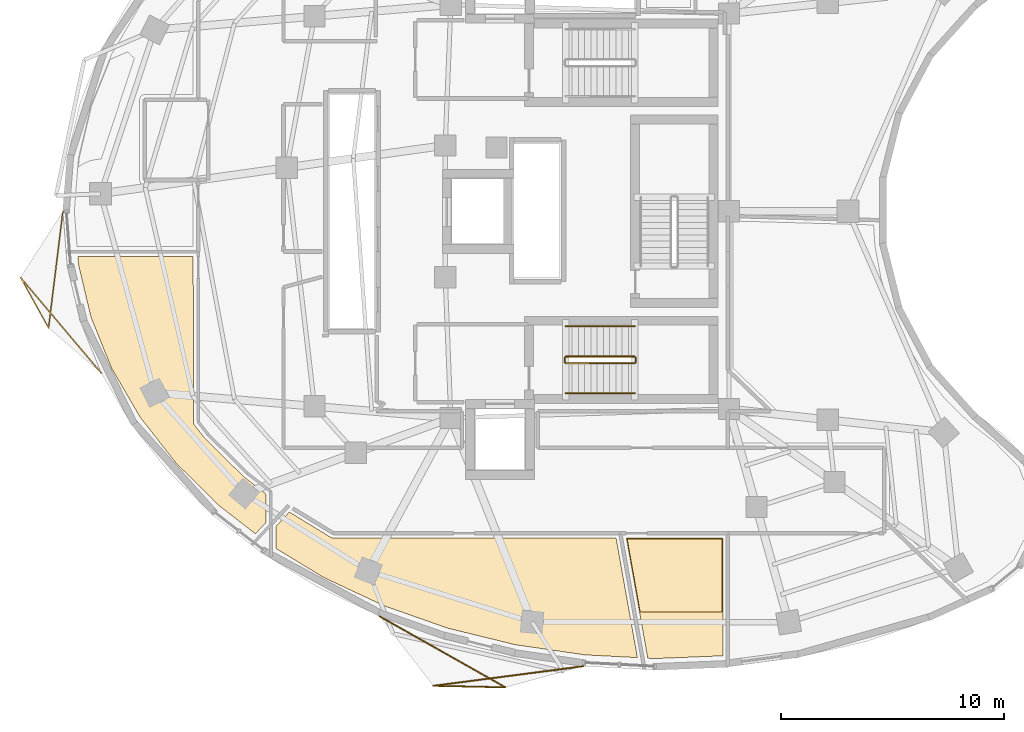
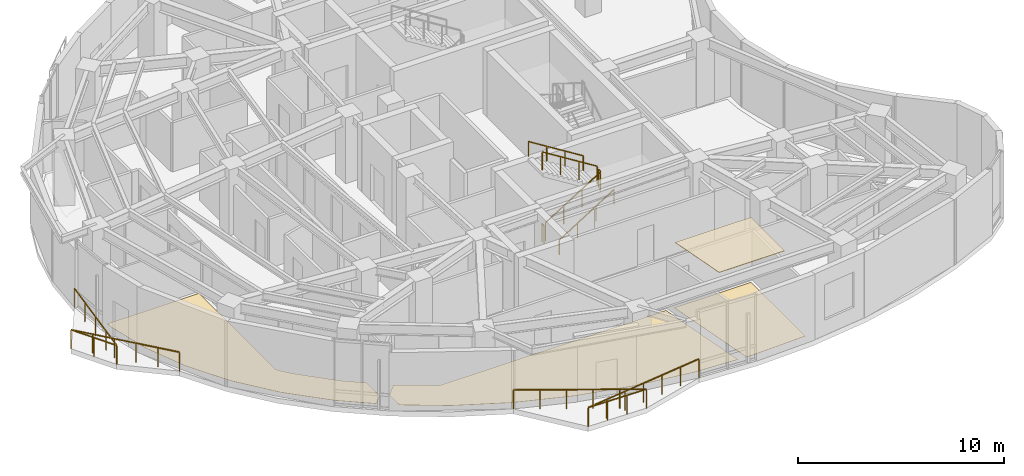
# One storey, part 11 of 13: 8 railings, 4 coverings.
"""IFC4 building model written with IfcOpenShell, lengths in metres."""

from ifc_helpers import new_model, si_unit, direction, frame, origin, origin_2d, place, context, subcontext, project, spatial, polyline, rectangle, outline, extrude, material, layer, layer_set, type_object, element, save


model = new_model("IFC4")

# Units and contexts
model_context = context("Model", 3, precision=1e-05, world=origin(), true_north=direction((0.0, 1.0)))
body_context = subcontext(model_context, "Body", "Model", "MODEL_VIEW")
ifc_project = project(units=[si_unit("LENGTHUNIT", "METRE"), si_unit("AREAUNIT", "SQUARE_METRE"), si_unit("VOLUMEUNIT", "CUBIC_METRE"), si_unit("PLANEANGLEUNIT", "RADIAN"), si_unit("MASSUNIT", "GRAM", prefix="KILO")], contexts=[model_context])

# Site, building, storey
site_placement = place(None, origin())
site = spatial("IfcSite", under=ifc_project, at=site_placement, CompositionType="ELEMENT")
building_placement = place(site_placement, origin())
building = spatial("IfcBuilding", under=site, at=building_placement, Name="Korentha Bioscience Tower", CompositionType="ELEMENT")
storey_placement = place(building_placement, frame((0.0, 0.0, 158.39990234375)))
storey = spatial("IfcBuildingStorey", under=building, at=storey_placement, Name="L36", CompositionType="ELEMENT", Elevation=158.39990234375)

# Railings
ifc_material_1 = material(Name="Stainless Steel 304", Category="steel")
railing_type_1 = type_object("IfcRailingType", Name="Brushed Stainless Stair Handrail 900", PredefinedType="HANDRAIL", material=ifc_material_1)
railing_1_placement = place(storey_placement, frame((30.25, 18.85009765625, 0.175048828125)))
element("IfcRailing", 1, at=railing_1_placement, inside=storey, type_object=railing_type_1, Name="L36 ST-2 stair handrail 1", PredefinedType="HANDRAIL", context=body_context, shape_type="SweptSolid", body=[
    extrude(rectangle(XDim=0.048095703125, YDim=0.048095703125, at=origin_2d()), frame((0.0, 0.0, 0.8759765625), z_axis=(0.847998304005, 0.0, 0.529998940003), x_axis=(0.0, 1.0, 0.0)), (0.0, 0.0, 1.0), 3.632080078125),
    extrude(rectangle(XDim=0.0419921875, YDim=0.0419921875, at=origin_2d()), origin(), (0.0, 0.0, 1.0), 0.851806640625),
    extrude(rectangle(XDim=0.0419921875, YDim=0.0419921875, at=origin_2d()), frame((1.026611328125, 0.0, 0.6416015625)), (0.0, 0.0, 1.0), 0.851806640625),
    extrude(rectangle(XDim=0.0419921875, YDim=0.0419921875, at=origin_2d()), frame((2.053466796875, 0.0, 1.283447265625)), (0.0, 0.0, 1.0), 0.851806640625),
    extrude(rectangle(XDim=0.0419921875, YDim=0.0419921875, at=origin_2d()), frame((3.080078125, 0.0, 1.925048828125)), (0.0, 0.0, 1.0), 0.851806640625),
])
railing_2_placement = place(storey_placement, frame((33.330078125, 21.85009765625, 2.275146484375)))
element("IfcRailing", 2, at=railing_2_placement, inside=storey, type_object=railing_type_1, Name="L36 ST-2 stair handrail 2", PredefinedType="HANDRAIL", context=body_context, shape_type="SweptSolid", body=[
    extrude(rectangle(XDim=0.048095703125, YDim=0.048095703125, at=origin_2d()), frame((0.0, 0.0, 0.8759765625), z_axis=(-0.847998304005, 0.0, 0.529998940003), x_axis=(0.0, -1.0, 0.0)), (0.0, 0.0, 1.0), 3.632080078125),
    extrude(rectangle(XDim=0.0419921875, YDim=0.0419921875, at=origin_2d()), origin(), (0.0, 0.0, 1.0), 0.851806640625),
    extrude(rectangle(XDim=0.0419921875, YDim=0.0419921875, at=origin_2d()), frame((-1.026611328125, 0.0, 0.6416015625)), (0.0, 0.0, 1.0), 0.851806640625),
    extrude(rectangle(XDim=0.0419921875, YDim=0.0419921875, at=origin_2d()), frame((-2.053466796875, 0.0, 1.283447265625)), (0.0, 0.0, 1.0), 0.851806640625),
    extrude(rectangle(XDim=0.0419921875, YDim=0.0419921875, at=origin_2d()), frame((-3.080078125, 0.0, 1.925048828125)), (0.0, 0.0, 1.0), 0.851806640625),
])
ifc_material_2 = material(Name="Laminated Tempered Safety Glass", Category="glass")
railing_type_2 = type_object("IfcRailingType", Name="Laminated Glass Balcony Guardrail 1150", PredefinedType="BALUSTRADE", material=ifc_material_2)
railing_3_placement = place(storey_placement, frame((7.736083984375, 27.0, 0.0)))
element("IfcRailing", 3, at=railing_3_placement, inside=storey, type_object=railing_type_2, Name="L36 Balcony Guardrail 02", PredefinedType="BALUSTRADE", context=body_context, shape_type="SweptSolid", body=[
    extrude(rectangle(XDim=0.048095703125, YDim=0.048095703125, at=origin_2d()), frame((0.0, 0.0, 1.1259765625), z_axis=(-0.122025166092, -0.992527006605, 0.0), x_axis=(0.992527006605, -0.122025166092, 0.0)), (0.0, 0.0, 1.0), 5.263916015625),
    extrude(rectangle(XDim=0.048095703125, YDim=0.048095703125, at=origin_2d()), frame((-0.642333984375, -5.224609375, 1.1259765625), z_axis=(-0.485098789135, 0.874459355705, 0.0), x_axis=(-0.874459355705, -0.485098789135, 0.0)), (0.0, 0.0, 1.0), 2.5908203125),
    extrude(rectangle(XDim=0.048095703125, YDim=0.048095703125, at=origin_2d()), frame((-1.899169921875, -2.958984375, 1.1259765625), z_axis=(0.644919398028, -0.76425059375, 0.0), x_axis=(0.76425059375, 0.644919398028, 0.0)), (0.0, 0.0, 1.0), 5.60986328125),
    extrude(rectangle(XDim=0.0419921875, YDim=0.0419921875, at=origin_2d()), origin(), (0.0, 0.0, 1.0), 1.101806640625),
    extrude(rectangle(XDim=0.0419921875, YDim=0.0419921875, at=origin_2d()), frame((-0.16064453125, -1.30615234375, 0.0)), (0.0, 0.0, 1.0), 1.101806640625),
    extrude(rectangle(XDim=0.0419921875, YDim=0.0419921875, at=origin_2d()), frame((-0.3212890625, -2.6123046875, 0.0)), (0.0, 0.0, 1.0), 1.101806640625),
    extrude(rectangle(XDim=0.0419921875, YDim=0.0419921875, at=origin_2d()), frame((-0.481689453125, -3.91845703125, 0.0)), (0.0, 0.0, 1.0), 1.101806640625),
    extrude(rectangle(XDim=0.0419921875, YDim=0.0419921875, at=origin_2d()), frame((-0.642333984375, -5.224609375, 0.0)), (0.0, 0.0, 1.0), 1.101806640625),
    extrude(rectangle(XDim=0.0419921875, YDim=0.0419921875, at=origin_2d()), frame((-1.270751953125, -4.091796875, 0.0)), (0.0, 0.0, 1.0), 1.101806640625),
    extrude(rectangle(XDim=0.0419921875, YDim=0.0419921875, at=origin_2d()), frame((-1.899169921875, -2.958984375, 0.0)), (0.0, 0.0, 1.0), 1.101806640625),
    extrude(rectangle(XDim=0.0419921875, YDim=0.0419921875, at=origin_2d()), frame((-1.175537109375, -3.81640625, 0.0)), (0.0, 0.0, 1.0), 1.101806640625),
    extrude(rectangle(XDim=0.0419921875, YDim=0.0419921875, at=origin_2d()), frame((-0.451904296875, -4.673828125, 0.0)), (0.0, 0.0, 1.0), 1.101806640625),
    extrude(rectangle(XDim=0.0419921875, YDim=0.0419921875, at=origin_2d()), frame((0.271484375, -5.531494140625, 0.0)), (0.0, 0.0, 1.0), 1.101806640625),
    extrude(rectangle(XDim=0.0419921875, YDim=0.0419921875, at=origin_2d()), frame((0.9951171875, -6.388916015625, 0.0)), (0.0, 0.0, 1.0), 1.101806640625),
    extrude(rectangle(XDim=0.0419921875, YDim=0.0419921875, at=origin_2d()), frame((1.71875, -7.246337890625, 0.0)), (0.0, 0.0, 1.0), 1.101806640625),
])
railing_4_placement = place(storey_placement, frame((21.907470703125, 8.871337890625, 0.0)))
element("IfcRailing", 4, at=railing_4_placement, inside=storey, type_object=railing_type_2, Name="L36 Balcony Guardrail 03", PredefinedType="BALUSTRADE", context=body_context, shape_type="SweptSolid", body=[
    extrude(rectangle(XDim=0.048095703125, YDim=0.048095703125, at=origin_2d()), frame((0.0, 0.0, 1.1259765625), z_axis=(0.870664024138, -0.491878193327, 0.0), x_axis=(0.491878193327, 0.870664024138, 0.0)), (0.0, 0.0, 1.0), 6.4697265625),
    extrude(rectangle(XDim=0.048095703125, YDim=0.048095703125, at=origin_2d()), frame((5.633056640625, -3.182373046875, 1.1259765625), z_axis=(-0.99977218626, 0.021344216559, 0.0), x_axis=(-0.021344216559, -0.99977218626, 0.0)), (0.0, 0.0, 1.0), 3.2255859375),
    extrude(rectangle(XDim=0.048095703125, YDim=0.048095703125, at=origin_2d()), frame((2.408203125, -3.113525390625, 1.1259765625), z_axis=(0.99157569469, 0.129528536236, 0.0), x_axis=(-0.129528536236, 0.99157569469, 0.0)), (0.0, 0.0, 1.0), 6.77978515625),
    extrude(rectangle(XDim=0.0419921875, YDim=0.0419921875, at=origin_2d()), origin(), (0.0, 0.0, 1.0), 1.101806640625),
    extrude(rectangle(XDim=0.0419921875, YDim=0.0419921875, at=origin_2d()), frame((1.126708984375, -0.636474609375, 0.0)), (0.0, 0.0, 1.0), 1.101806640625),
    extrude(rectangle(XDim=0.0419921875, YDim=0.0419921875, at=origin_2d()), frame((2.253173828125, -1.27294921875, 0.0)), (0.0, 0.0, 1.0), 1.101806640625),
    extrude(rectangle(XDim=0.0419921875, YDim=0.0419921875, at=origin_2d()), frame((3.3798828125, -1.909423828125, 0.0)), (0.0, 0.0, 1.0), 1.101806640625),
    extrude(rectangle(XDim=0.0419921875, YDim=0.0419921875, at=origin_2d()), frame((4.50634765625, -2.5458984375, 0.0)), (0.0, 0.0, 1.0), 1.101806640625),
    extrude(rectangle(XDim=0.0419921875, YDim=0.0419921875, at=origin_2d()), frame((5.633056640625, -3.182373046875, 0.0)), (0.0, 0.0, 1.0), 1.101806640625),
    extrude(rectangle(XDim=0.0419921875, YDim=0.0419921875, at=origin_2d()), frame((4.55810546875, -3.159423828125, 0.0)), (0.0, 0.0, 1.0), 1.101806640625),
    extrude(rectangle(XDim=0.0419921875, YDim=0.0419921875, at=origin_2d()), frame((3.483154296875, -3.136474609375, 0.0)), (0.0, 0.0, 1.0), 1.101806640625),
    extrude(rectangle(XDim=0.0419921875, YDim=0.0419921875, at=origin_2d()), frame((2.408203125, -3.113525390625, 0.0)), (0.0, 0.0, 1.0), 1.101806640625),
    extrude(rectangle(XDim=0.0419921875, YDim=0.0419921875, at=origin_2d()), frame((3.528564453125, -2.96728515625, 0.0)), (0.0, 0.0, 1.0), 1.101806640625),
    extrude(rectangle(XDim=0.0419921875, YDim=0.0419921875, at=origin_2d()), frame((4.649169921875, -2.82080078125, 0.0)), (0.0, 0.0, 1.0), 1.101806640625),
    extrude(rectangle(XDim=0.0419921875, YDim=0.0419921875, at=origin_2d()), frame((5.76953125, -2.67431640625, 0.0)), (0.0, 0.0, 1.0), 1.101806640625),
    extrude(rectangle(XDim=0.0419921875, YDim=0.0419921875, at=origin_2d()), frame((6.889892578125, -2.528076171875, 0.0)), (0.0, 0.0, 1.0), 1.101806640625),
    extrude(rectangle(XDim=0.0419921875, YDim=0.0419921875, at=origin_2d()), frame((8.010498046875, -2.3818359375, 0.0)), (0.0, 0.0, 1.0), 1.101806640625),
    extrude(rectangle(XDim=0.0419921875, YDim=0.0419921875, at=origin_2d()), frame((9.130859375, -2.2353515625, 0.0)), (0.0, 0.0, 1.0), 1.101806640625),
])

# Covering
ifc_material_3 = material(Name="Antimicrobial Mineral Fibre Board", Category="gypsum")
ifc_layer_1 = layer(ifc_material_3, 0.034912109375, Name="Antimicrobial Mineral Fibre Board")
ifc_layer_set_1 = layer_set([ifc_layer_1], Name="Antimicrobial Mineral Fibre Board (CL-MF35)")
covering_type_1 = type_object("IfcCoveringType", Name="Mineral-Fibre Cleanroom Suspended Ceiling 35", PredefinedType="CEILING", material=ifc_layer_set_1)
covering_1_placement = place(storey_placement, frame((0.0, 0.0, 3.864990234375)))
element("IfcCovering", 5, at=covering_1_placement, inside=storey, type_object=covering_type_1, Name="L36 Airlock Gowning Anteroom 05 Acoustic Ceiling", PredefinedType="CEILING", context=body_context, shape_type="SweptSolid", body=[
    extrude(outline(polyline([(37.248046875, 9.064453125), (33.576904296875, 9.066162109375), (32.993896484375, 12.340087890625), (37.248046875, 12.340087890625), (37.248046875, 9.064453125)])), origin(), (0.0, 0.0, 1.0), 0.03515625),
])

# Railings
ifc_material_4 = material(Name="Painted Steel S275", Category="steel")
railing_type_3 = type_object("IfcRailingType", Name="Painted Steel Stair Well Guardrail 1100", PredefinedType="GUARDRAIL", material=ifc_material_4)
railing_5_placement = place(storey_placement, frame((30.25, 20.199951171875, 0.175048828125)))
element("IfcRailing", 6, at=railing_5_placement, inside=storey, type_object=railing_type_3, Name="L36 ST-2 stair guard 1", PredefinedType="GUARDRAIL", context=body_context, shape_type="SweptSolid", body=[
    extrude(rectangle(XDim=0.048095703125, YDim=0.048095703125, at=origin_2d()), frame((0.0, 0.0, 1.076171875), z_axis=(0.847998304005, 0.0, 0.529998940003), x_axis=(0.0, 1.0, 0.0)), (0.0, 0.0, 1.0), 3.632080078125),
    extrude(rectangle(XDim=0.0419921875, YDim=0.0419921875, at=origin_2d()), origin(), (0.0, 0.0, 1.0), 1.052001953125),
    extrude(rectangle(XDim=0.0419921875, YDim=0.0419921875, at=origin_2d()), frame((1.026611328125, 0.0, 0.6416015625)), (0.0, 0.0, 1.0), 1.052001953125),
    extrude(rectangle(XDim=0.0419921875, YDim=0.0419921875, at=origin_2d()), frame((2.053466796875, 0.0, 1.283447265625)), (0.0, 0.0, 1.0), 1.052001953125),
    extrude(rectangle(XDim=0.0419921875, YDim=0.0419921875, at=origin_2d()), frame((3.080078125, 0.0, 1.925048828125)), (0.0, 0.0, 1.0), 1.052001953125),
])
railing_6_placement = place(storey_placement, frame((33.3798828125, 20.25, 2.10009765625)))
element("IfcRailing", 7, at=railing_6_placement, inside=storey, type_object=railing_type_3, Name="L36 ST-2 stair guard 2", PredefinedType="GUARDRAIL", context=body_context, shape_type="SweptSolid", body=[
    extrude(rectangle(XDim=0.048095703125, YDim=0.048095703125, at=origin_2d()), frame((0.0, 0.0, 1.076171875), z_axis=(0.0, 1.0, 0.0), x_axis=(-1.0, 0.0, 0.0)), (0.0, 0.0, 1.0), 0.199951171875),
    extrude(rectangle(XDim=0.0419921875, YDim=0.0419921875, at=origin_2d()), origin(), (0.0, 0.0, 1.0), 1.052001953125),
    extrude(rectangle(XDim=0.0419921875, YDim=0.0419921875, at=origin_2d()), frame((0.0, 0.199951171875, 0.0)), (0.0, 0.0, 1.0), 1.052001953125),
])
railing_7_placement = place(storey_placement, frame((33.330078125, 20.5, 2.275146484375)))
element("IfcRailing", 8, at=railing_7_placement, inside=storey, type_object=railing_type_3, Name="L36 ST-2 stair guard 3", PredefinedType="GUARDRAIL", context=body_context, shape_type="SweptSolid", body=[
    extrude(rectangle(XDim=0.048095703125, YDim=0.048095703125, at=origin_2d()), frame((0.0, 0.0, 1.076171875), z_axis=(-0.847998304005, 0.0, 0.529998940003), x_axis=(0.0, -1.0, 0.0)), (0.0, 0.0, 1.0), 3.632080078125),
    extrude(rectangle(XDim=0.0419921875, YDim=0.0419921875, at=origin_2d()), origin(), (0.0, 0.0, 1.0), 1.052001953125),
    extrude(rectangle(XDim=0.0419921875, YDim=0.0419921875, at=origin_2d()), frame((-1.026611328125, 0.0, 0.6416015625)), (0.0, 0.0, 1.0), 1.052001953125),
    extrude(rectangle(XDim=0.0419921875, YDim=0.0419921875, at=origin_2d()), frame((-2.053466796875, 0.0, 1.283447265625)), (0.0, 0.0, 1.0), 1.052001953125),
    extrude(rectangle(XDim=0.0419921875, YDim=0.0419921875, at=origin_2d()), frame((-3.080078125, 0.0, 1.925048828125)), (0.0, 0.0, 1.0), 1.052001953125),
])
railing_8_placement = place(storey_placement, frame((30.199951171875, 20.25, 0.0)))
element("IfcRailing", 9, at=railing_8_placement, inside=storey, type_object=railing_type_3, Name="L36 ST-2 stair guard 4", PredefinedType="GUARDRAIL", context=body_context, shape_type="SweptSolid", body=[
    extrude(rectangle(XDim=0.048095703125, YDim=0.048095703125, at=origin_2d()), frame((0.0, 0.0, 1.076171875), z_axis=(0.0, 1.0, 0.0), x_axis=(-1.0, 0.0, 0.0)), (0.0, 0.0, 1.0), 0.199951171875),
    extrude(rectangle(XDim=0.0419921875, YDim=0.0419921875, at=origin_2d()), origin(), (0.0, 0.0, 1.0), 1.052001953125),
    extrude(rectangle(XDim=0.0419921875, YDim=0.0419921875, at=origin_2d()), frame((0.0, 0.199951171875, 0.0)), (0.0, 0.0, 1.0), 1.052001953125),
])

# Coverings
ifc_material_5 = material(Name="Chemical-Resistant Epoxy Resin", Category="polymer")
ifc_layer_2 = layer(ifc_material_5, 0.011962890625, Name="Chemical-Resistant Epoxy Resin")
ifc_layer_set_2 = layer_set([ifc_layer_2], Name="Chemical-Resistant Epoxy Resin (FL-EPX)")
covering_type_2 = type_object("IfcCoveringType", Name="Seamless Epoxy Laboratory Flooring 12", PredefinedType="FLOORING", material=ifc_layer_set_2)
covering_2_placement = place(storey_placement, origin())
element("IfcCovering", 10, at=covering_2_placement, inside=storey, type_object=covering_type_2, Name="L36 Principal Investigator Office 01 Floor Finish", PredefinedType="FLOORING", context=body_context, shape_type="SweptSolid", body=[
    extrude(outline(polyline([(13.570068359375, 24.97802734375), (13.576416015625, 17.529052734375), (13.612548828125, 17.44921875), (14.073974609375, 16.859619140625), (15.839111328125, 15.115234375), (16.827880859375, 14.34716796875), (16.827880859375, 13.0712890625), (16.354736328125, 12.563720703125), (14.727294921875, 13.82421875), (12.801025390625, 15.726806640625), (11.189453125, 17.7880859375), (9.914306640625, 19.978271484375), (8.991943359375, 22.265380859375), (8.43408203125, 24.616455078125), (8.406005859375, 24.97802734375), (13.570068359375, 24.97802734375)])), origin(), (0.0, 0.0, 1.0), 0.01220703125),
])
covering_3_placement = place(storey_placement, origin())
element("IfcCovering", 11, at=covering_3_placement, inside=storey, type_object=covering_type_2, Name="L36 Staff Pantry Kitchenette 03 Floor Finish", PredefinedType="FLOORING", context=body_context, shape_type="SweptSolid", body=[
    extrude(outline(polyline([(17.871337890625, 13.5390625), (19.730224609375, 12.403564453125), (19.8388671875, 12.370361328125), (32.5009765625, 12.3701171875), (33.453857421875, 7.0205078125), (31.0888671875, 7.14404296875), (27.983154296875, 7.598388671875), (24.972412109375, 8.33544921875), (22.10107421875, 9.343994140625), (19.410888671875, 10.6083984375), (17.272216796875, 11.908203125), (17.27197265625, 12.896240234375), (17.871337890625, 13.5390625)])), origin(), (0.0, 0.0, 1.0), 0.01220703125),
])
covering_4_placement = place(storey_placement, origin())
element("IfcCovering", 12, at=covering_4_placement, inside=storey, type_object=covering_type_2, Name="L36 Airlock Gowning Anteroom 05 Floor Finish", PredefinedType="FLOORING", context=body_context, shape_type="SweptSolid", body=[
    extrude(outline(polyline([(32.9580078125, 12.3701171875), (37.278076171875, 12.3701171875), (37.278076171875, 7.101318359375), (34.243896484375, 6.97900390625), (33.915283203125, 6.996337890625), (32.9580078125, 12.3701171875)])), origin(), (0.0, 0.0, 1.0), 0.01220703125),
])

save(model, "model.ifc")
